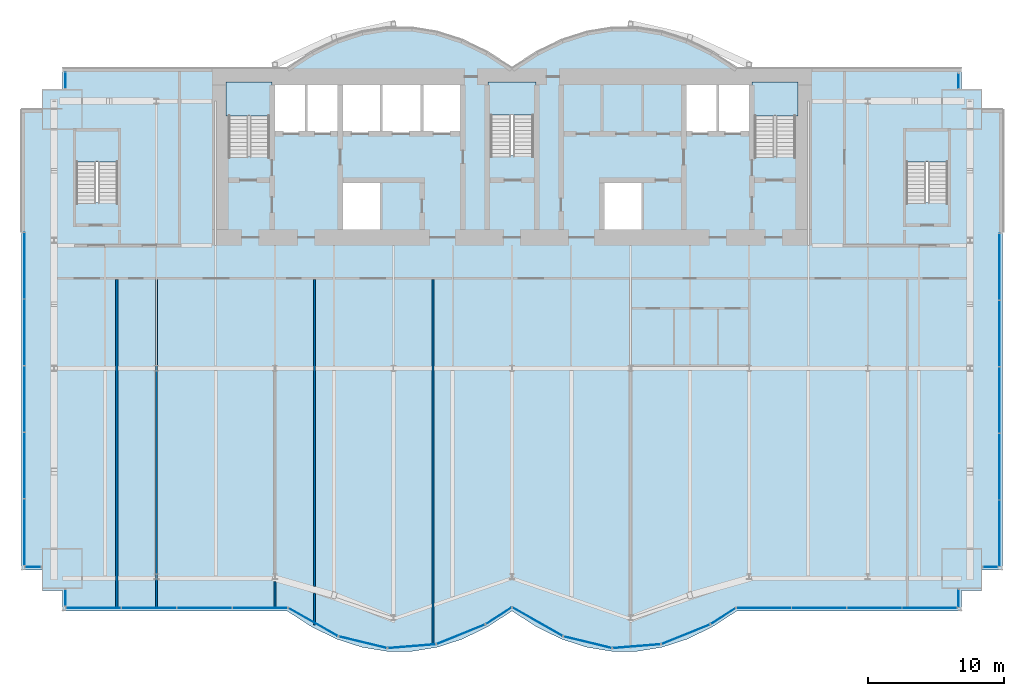
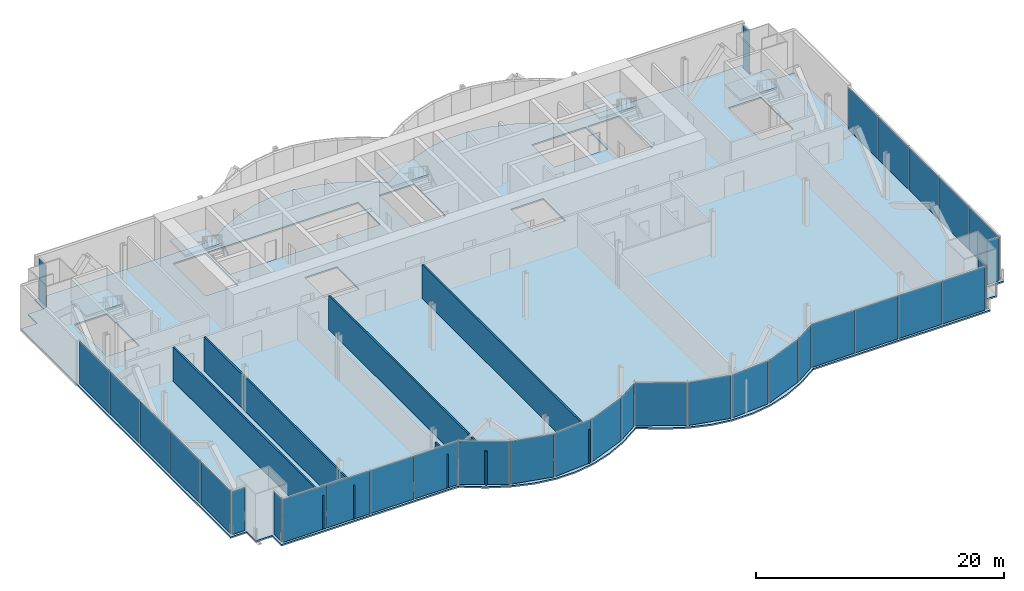
# One storey, part 14 of 21: 34 plates, 6 slabs, 6 walls, 17 elements without a shape of their own.
"""IFC4 building model written with IfcOpenShell, lengths in metres."""

from ifc_helpers import new_model, si_unit, direction, frame, frame_2d, origin, origin_2d, place, context, subcontext, project, spatial, polyline, rectangle, outline, extrude, material, layer, layer_set, type_object, element, aggregate, save


model = new_model("IFC4")

# Units and contexts
model_context = context("Model", 3, precision=1e-05, world=origin(), true_north=direction((0.0, 1.0)))
body_context = subcontext(model_context, "Body", "Model", "MODEL_VIEW")
ifc_project = project(units=[si_unit("LENGTHUNIT", "METRE"), si_unit("AREAUNIT", "SQUARE_METRE"), si_unit("VOLUMEUNIT", "CUBIC_METRE"), si_unit("PLANEANGLEUNIT", "RADIAN"), si_unit("MASSUNIT", "GRAM", prefix="KILO")], contexts=[model_context])

# Site, building, storey
site_placement = place(None, origin())
site = spatial("IfcSite", under=ifc_project, at=site_placement, CompositionType="ELEMENT")
building_placement = place(site_placement, origin())
building = spatial("IfcBuilding", under=site, at=building_placement, Name="Bicima Exchange Tower", CompositionType="ELEMENT")
storey_placement = place(building_placement, frame((0.0, 0.0, 75.5)))
storey = spatial("IfcBuildingStorey", under=building, at=storey_placement, Name="L15", CompositionType="ELEMENT", Elevation=75.5)

# Slab
ifc_material_1 = material(Name="Concrete C40/50", Category="concrete")
ifc_layer_1 = layer(ifc_material_1, 0.14990234375)
ifc_layer_set_1 = layer_set([ifc_layer_1], Name="Concrete C40/50")
slab_type_1 = type_object("IfcSlabType", Name="Composite floor slab 150", PredefinedType="FLOOR", material=ifc_layer_set_1)
slab_1_placement = place(storey_placement, frame((0.0, 0.0, -0.14990234375)))
element("IfcSlab", 1, at=slab_1_placement, inside=storey, type_object=slab_type_1, Name="Floor slab", PredefinedType="FLOOR", context=body_context, shape_type="SweptSolid", body=[
    extrude(outline(polyline([(-36.0, -36.803955078125), (-36.0, -3.0), (-34.5, -3.0), (-34.5, -1.5), (-33.0, -1.5), (-33.0, 0.0), (-16.5, 0.0), (-14.666748046875, 1.185302734375), (-12.833251953125, 2.07421875), (-11.0, 2.666748046875), (-9.166748046875, 2.962890625), (-7.333251953125, 2.962890625), (-5.5, 2.666748046875), (-3.666748046875, 2.07421875), (-1.833251953125, 1.185302734375), (0.0, 0.0), (1.833251953125, 1.185302734375), (3.666748046875, 2.07421875), (5.5, 2.666748046875), (7.333251953125, 2.962890625), (9.166748046875, 2.962890625), (11.0, 2.666748046875), (12.833251953125, 2.07421875), (14.666748046875, 1.185302734375), (16.5, 0.0), (33.0, 0.0), (33.0, -1.5), (34.5, -1.5), (34.5, -3.0), (36.0, -3.0), (36.0, -36.803955078125), (34.5, -36.803955078125), (34.5, -38.303955078125), (33.0, -38.303955078125), (33.0, -39.803955078125), (16.5, -39.803955078125), (14.666748046875, -40.9892578125), (12.833251953125, -41.878173828125), (11.0, -42.470703125), (9.166748046875, -42.76708984375), (7.333251953125, -42.76708984375), (5.5, -42.470703125), (3.666748046875, -41.878173828125), (1.833251953125, -40.9892578125), (0.0, -39.803955078125), (-1.833251953125, -40.9892578125), (-3.666748046875, -41.878173828125), (-5.5, -42.470703125), (-7.333251953125, -42.76708984375), (-9.166748046875, -42.76708984375), (-11.0, -42.470703125), (-12.833251953125, -41.878173828125), (-14.666748046875, -40.9892578125), (-16.5, -39.803955078125), (-33.0, -39.803955078125), (-33.0, -38.303955078125), (-34.5, -38.303955078125), (-34.5, -36.803955078125), (-36.0, -36.803955078125)]), holes=[polyline([(-9.60009765625, -11.800048828125), (-9.60009765625, -8.199951171875), (-12.60009765625, -8.199951171875), (-12.60009765625, -11.800048828125), (-9.60009765625, -11.800048828125)]), polyline([(-31.97509765625, -9.824951171875), (-28.925048828125, -9.824951171875), (-28.925048828125, -4.625), (-31.97509765625, -4.625), (-31.97509765625, -9.824951171875)]), polyline([(-20.800048828125, -6.449951171875), (-17.800048828125, -6.449951171875), (-17.800048828125, -1.199951171875), (-20.800048828125, -1.199951171875), (-20.800048828125, -6.449951171875)]), polyline([(-9.60009765625, -1.199951171875), (-12.60009765625, -1.199951171875), (-15.10009765625, -1.199951171875), (-17.60009765625, -1.199951171875), (-17.60009765625, -4.800048828125), (-15.10009765625, -4.800048828125), (-12.60009765625, -4.800048828125), (-9.60009765625, -4.800048828125), (-6.60009765625, -4.800048828125), (-3.60009765625, -4.800048828125), (-3.60009765625, -1.199951171875), (-6.60009765625, -1.199951171875), (-9.60009765625, -1.199951171875)]), polyline([(9.60009765625, -11.800048828125), (9.60009765625, -8.199951171875), (6.60009765625, -8.199951171875), (6.60009765625, -11.800048828125), (9.60009765625, -11.800048828125)]), polyline([(28.925048828125, -9.824951171875), (31.97509765625, -9.824951171875), (31.97509765625, -4.625), (28.925048828125, -4.625), (28.925048828125, -9.824951171875)]), polyline([(17.800048828125, -6.449951171875), (20.800048828125, -6.449951171875), (20.800048828125, -1.199951171875), (17.800048828125, -1.199951171875), (17.800048828125, -6.449951171875)]), polyline([(-1.574951171875, -6.39990234375), (1.574951171875, -6.39990234375), (1.574951171875, -1.199951171875), (-1.574951171875, -1.199951171875), (-1.574951171875, -6.39990234375)]), polyline([(17.60009765625, -4.800048828125), (17.60009765625, -1.199951171875), (15.10009765625, -1.199951171875), (12.60009765625, -1.199951171875), (12.60009765625, -4.800048828125), (15.10009765625, -4.800048828125), (17.60009765625, -4.800048828125)])]), origin(), (0.0, 0.0, 1.0), 0.14990234375),
])

# Curtain wall, plates
ifc_material_2 = material(Name="Anodised bronze aluminium", Category="aluminium")
curtain_wall_type_1 = type_object("IfcCurtainWallType", Name="End face glass wall", PredefinedType="NOTDEFINED", material=ifc_material_2)
curtain_wall_1_placement = place(storey_placement, origin())
curtain_wall_1 = element("IfcCurtainWall", 2, at=curtain_wall_1_placement, inside=storey, type_object=curtain_wall_type_1, Name="End face glass wall L15 run 2", PredefinedType="NOTDEFINED")
ifc_material_3 = material(Name="Bronze tinted glass", Category="glass")
ifc_layer_2 = layer(ifc_material_3, 0.031982421875)
ifc_layer_set_2 = layer_set([ifc_layer_2], Name="Bronze tinted glass")
plate_type_1 = type_object("IfcPlateType", Name="End face glass wall glass panel 32", PredefinedType="CURTAIN_PANEL", material=ifc_layer_set_2)
plate_1_placement = place(storey_placement, frame((-35.77001953125, -19.360107421875, 0.0), z_axis=(0.0, 0.0, 1.0), x_axis=(0.0, -1.0, 0.0)))
plate_1 = element("IfcPlate", 3, at=plate_1_placement, type_object=plate_type_1, Name="End face glass wall panel 2.1", PredefinedType="CURTAIN_PANEL", context=body_context, shape_type="SweptSolid", body=[
    extrude(rectangle(XDim=4.826904296875, YDim=0.031982421875, at=origin_2d()), origin(), (0.0, 0.0, 1.0), 4.2099609375),
])
plate_2_placement = place(storey_placement, frame((-35.77001953125, -24.2470703125, 0.0), z_axis=(0.0, 0.0, 1.0), x_axis=(0.0, -1.0, 0.0)))
plate_2 = element("IfcPlate", 4, at=plate_2_placement, type_object=plate_type_1, Name="End face glass wall panel 3.1", PredefinedType="CURTAIN_PANEL", context=body_context, shape_type="SweptSolid", body=[
    extrude(rectangle(XDim=4.826904296875, YDim=0.031982421875, at=origin_2d()), origin(), (0.0, 0.0, 1.0), 4.2099609375),
])
plate_3_placement = place(storey_placement, frame((-35.77001953125, -34.0205078125, 0.0), z_axis=(0.0, 0.0, 1.0), x_axis=(0.0, -1.0, 0.0)))
plate_3 = element("IfcPlate", 5, at=plate_3_placement, type_object=plate_type_1, Name="End face glass wall panel 5.1", PredefinedType="CURTAIN_PANEL", context=body_context, shape_type="SweptSolid", body=[
    extrude(rectangle(XDim=4.826904296875, YDim=0.031982421875, at=origin_2d()), origin(), (0.0, 0.0, 1.0), 4.2099609375),
])

curtain_wall_2_placement = place(storey_placement, origin())
curtain_wall_2 = element("IfcCurtainWall", 6, at=curtain_wall_2_placement, inside=storey, type_object=curtain_wall_type_1, Name="End face glass wall L15 run 19", PredefinedType="NOTDEFINED")
plate_4_placement = place(storey_placement, frame((35.77001953125, -34.1005859375, 0.0), z_axis=(0.0, 0.0, 1.0), x_axis=(0.0, 1.0, 0.0)))
plate_4 = element("IfcPlate", 7, at=plate_4_placement, type_object=plate_type_1, Name="End face glass wall panel 1.1", PredefinedType="CURTAIN_PANEL", context=body_context, shape_type="SweptSolid", body=[
    extrude(rectangle(XDim=4.826904296875, YDim=0.031982421875, at=origin_2d()), origin(), (0.0, 0.0, 1.0), 4.2099609375),
])
plate_5_placement = place(storey_placement, frame((35.77001953125, -24.326904296875, 0.0), z_axis=(0.0, 0.0, 1.0), x_axis=(0.0, 1.0, 0.0)))
plate_5 = element("IfcPlate", 8, at=plate_5_placement, type_object=plate_type_1, Name="End face glass wall panel 3.1", PredefinedType="CURTAIN_PANEL", context=body_context, shape_type="SweptSolid", body=[
    extrude(rectangle(XDim=4.826904296875, YDim=0.031982421875, at=origin_2d()), origin(), (0.0, 0.0, 1.0), 4.2099609375),
])
plate_6_placement = place(storey_placement, frame((35.77001953125, -19.440185546875, 0.0), z_axis=(0.0, 0.0, 1.0), x_axis=(0.0, 1.0, 0.0)))
plate_6 = element("IfcPlate", 9, at=plate_6_placement, type_object=plate_type_1, Name="End face glass wall panel 4.1", PredefinedType="CURTAIN_PANEL", context=body_context, shape_type="SweptSolid", body=[
    extrude(rectangle(XDim=4.826904296875, YDim=0.031982421875, at=origin_2d()), origin(), (0.0, 0.0, 1.0), 4.2099609375),
])

# Plate
ifc_material_4 = material(Name="Bronze anodised aluminium", Category="aluminium")
ifc_layer_3 = layer(ifc_material_4, 0.031982421875)
ifc_layer_set_3 = layer_set([ifc_layer_3], Name="Bronze anodised aluminium")
plate_type_2 = type_object("IfcPlateType", Name="End face glass wall spandrel panel 32", PredefinedType="CURTAIN_PANEL", material=ifc_layer_set_3)
plate_7_placement = place(storey_placement, frame((-35.77001953125, -14.473388671875, 0.0), z_axis=(0.0, 0.0, 1.0), x_axis=(0.0, -1.0, 0.0)))
plate_7 = element("IfcPlate", 10, at=plate_7_placement, type_object=plate_type_2, Name="End face spandrel wall panel 1.1", PredefinedType="CURTAIN_PANEL", context=body_context, shape_type="SweptSolid", body=[
    extrude(rectangle(XDim=4.826904296875, YDim=0.031982421875, at=origin_2d()), origin(), (0.0, 0.0, 1.0), 4.2099609375),
])

plate_8_placement = place(storey_placement, frame((-35.77001953125, -29.1337890625, 0.0), z_axis=(0.0, 0.0, 1.0), x_axis=(0.0, -1.0, 0.0)))
plate_8 = element("IfcPlate", 11, at=plate_8_placement, type_object=plate_type_2, Name="End face spandrel wall panel 4.1", PredefinedType="CURTAIN_PANEL", context=body_context, shape_type="SweptSolid", body=[
    extrude(rectangle(XDim=4.826904296875, YDim=0.031982421875, at=origin_2d()), origin(), (0.0, 0.0, 1.0), 4.2099609375),
])

aggregate(curtain_wall_1, [plate_7, plate_1, plate_2, plate_8, plate_3])

plate_9_placement = place(storey_placement, frame((35.77001953125, -29.2138671875, 0.0), z_axis=(0.0, 0.0, 1.0), x_axis=(0.0, 1.0, 0.0)))
plate_9 = element("IfcPlate", 12, at=plate_9_placement, type_object=plate_type_2, Name="End face spandrel wall panel 2.1", PredefinedType="CURTAIN_PANEL", context=body_context, shape_type="SweptSolid", body=[
    extrude(rectangle(XDim=4.826904296875, YDim=0.031982421875, at=origin_2d()), origin(), (0.0, 0.0, 1.0), 4.2099609375),
])

plate_10_placement = place(storey_placement, frame((35.77001953125, -14.553466796875, 0.0), z_axis=(0.0, 0.0, 1.0), x_axis=(0.0, 1.0, 0.0)))
plate_10 = element("IfcPlate", 13, at=plate_10_placement, type_object=plate_type_2, Name="End face spandrel wall panel 5.1", PredefinedType="CURTAIN_PANEL", context=body_context, shape_type="SweptSolid", body=[
    extrude(rectangle(XDim=4.826904296875, YDim=0.031982421875, at=origin_2d()), origin(), (0.0, 0.0, 1.0), 4.2099609375),
])

aggregate(curtain_wall_2, [plate_4, plate_9, plate_5, plate_6, plate_10])

# Curtain wall, plate
curtain_wall_type_2 = type_object("IfcCurtainWallType", Name="Front glass wall", PredefinedType="NOTDEFINED", material=ifc_material_2)
curtain_wall_3_placement = place(storey_placement, origin())
curtain_wall_3 = element("IfcCurtainWall", 14, at=curtain_wall_3_placement, inside=storey, type_object=curtain_wall_type_2, Name="Front glass wall L15 run 1", PredefinedType="NOTDEFINED")
ifc_layer_4 = layer(ifc_material_3, 0.031982421875)
ifc_layer_set_4 = layer_set([ifc_layer_4], Name="Bronze tinted glass")
plate_type_3 = type_object("IfcPlateType", Name="Front glass wall glass panel 32", PredefinedType="CURTAIN_PANEL", material=ifc_layer_set_4)
plate_11_placement = place(storey_placement, frame((-32.77001953125, -0.864990234375, 0.0), z_axis=(0.0, 0.0, 1.0), x_axis=(0.0, -1.0, 0.0)))
plate_11 = element("IfcPlate", 15, at=plate_11_placement, type_object=plate_type_3, Name="Front glass wall panel 1.1", PredefinedType="CURTAIN_PANEL", context=body_context, shape_type="SweptSolid", body=[
    extrude(rectangle(XDim=1.14990234375, YDim=0.031982421875, at=origin_2d()), origin(), (0.0, 0.0, 1.0), 4.2099609375),
])
aggregate(curtain_wall_3, [plate_11])

curtain_wall_4_placement = place(storey_placement, origin())
curtain_wall_4 = element("IfcCurtainWall", 16, at=curtain_wall_4_placement, inside=storey, type_object=curtain_wall_type_2, Name="Front glass wall L15 run 3", PredefinedType="NOTDEFINED")
plate_12_placement = place(storey_placement, frame((-35.135009765625, -36.573974609375, 0.0), z_axis=(0.0, 0.0, 1.0), x_axis=(1.0, 0.0, 0.0)))
plate_12 = element("IfcPlate", 17, at=plate_12_placement, type_object=plate_type_3, Name="Front glass wall panel 1.1", PredefinedType="CURTAIN_PANEL", context=body_context, shape_type="SweptSolid", body=[
    extrude(rectangle(XDim=1.14990234375, YDim=0.031982421875, at=origin_2d()), origin(), (0.0, 0.0, 1.0), 4.2099609375),
])
aggregate(curtain_wall_4, [plate_12])

curtain_wall_5_placement = place(storey_placement, origin())
curtain_wall_5 = element("IfcCurtainWall", 18, at=curtain_wall_5_placement, inside=storey, type_object=curtain_wall_type_2, Name="Front glass wall L15 run 4", PredefinedType="NOTDEFINED")
plate_13_placement = place(storey_placement, frame((-32.77001953125, -38.837890625, 0.0), z_axis=(0.0, 0.0, 1.0), x_axis=(0.0, -1.0, 0.0)))
plate_13 = element("IfcPlate", 19, at=plate_13_placement, type_object=plate_type_3, Name="Front glass wall panel 1.1", PredefinedType="CURTAIN_PANEL", context=body_context, shape_type="SweptSolid", body=[
    extrude(rectangle(XDim=1.19189453125, YDim=0.031982421875, at=origin_2d()), origin(), (0.0, 0.0, 1.0), 4.2099609375),
])
aggregate(curtain_wall_5, [plate_13])

# Curtain wall, plates
curtain_wall_6_placement = place(storey_placement, origin())
curtain_wall_6 = element("IfcCurtainWall", 20, at=curtain_wall_6_placement, inside=storey, type_object=curtain_wall_type_2, Name="Front glass wall L15 run 5", PredefinedType="NOTDEFINED")
plate_14_placement = place(storey_placement, frame((-30.705322265625, -39.573974609375, 0.0), z_axis=(0.0, 0.0, 1.0), x_axis=(1.0, 0.0, 0.0)))
plate_14 = element("IfcPlate", 21, at=plate_14_placement, type_object=plate_type_3, Name="Front glass wall panel 1.1", PredefinedType="CURTAIN_PANEL", context=body_context, shape_type="SweptSolid", body=[
    extrude(rectangle(XDim=4.009521484375, YDim=0.031982421875, at=origin_2d()), origin(), (0.0, 0.0, 1.0), 4.2099609375),
])
plate_15_placement = place(storey_placement, frame((-22.56640625, -39.573974609375, 0.0), z_axis=(0.0, 0.0, 1.0), x_axis=(1.0, 0.0, 0.0)))
plate_15 = element("IfcPlate", 22, at=plate_15_placement, type_object=plate_type_3, Name="Front glass wall panel 3.1", PredefinedType="CURTAIN_PANEL", context=body_context, shape_type="SweptSolid", body=[
    extrude(rectangle(XDim=4.009521484375, YDim=0.031982421875, at=origin_2d()), origin(), (0.0, 0.0, 1.0), 4.2099609375),
])
plate_16_placement = place(storey_placement, frame((-18.496826171875, -39.573974609375, 0.0), z_axis=(0.0, 0.0, 1.0), x_axis=(1.0, 0.0, 0.0)))
plate_16 = element("IfcPlate", 23, at=plate_16_placement, type_object=plate_type_3, Name="Front glass wall panel 4.1", PredefinedType="CURTAIN_PANEL", context=body_context, shape_type="SweptSolid", body=[
    extrude(rectangle(XDim=4.009521484375, YDim=0.031982421875, at=origin_2d()), origin(), (0.0, 0.0, 1.0), 4.2099609375),
])

curtain_wall_7_placement = place(storey_placement, origin())
curtain_wall_7 = element("IfcCurtainWall", 24, at=curtain_wall_7_placement, inside=storey, type_object=curtain_wall_type_2, Name="Front glass wall L15 run 6", PredefinedType="NOTDEFINED")
plate_17_placement = place(storey_placement, frame((-14.589599609375, -40.619140625, 0.0), z_axis=(0.0, 0.0, 1.0), x_axis=(0.869805110681, -0.493395449343, 0.0)))
plate_17 = element("IfcPlate", 25, at=plate_17_placement, type_object=plate_type_3, Name="Front glass wall panel 1.1", PredefinedType="CURTAIN_PANEL", context=body_context, shape_type="SweptSolid", body=[
    extrude(rectangle(XDim=4.1162109375, YDim=0.031982421875, at=origin_2d()), origin(), (0.0, 0.0, 1.0), 4.2099609375),
])
plate_18_placement = place(storey_placement, frame((-10.94775390625, -42.1005859375, 0.0), z_axis=(0.0, 0.0, 1.0), x_axis=(0.971830343553, -0.235681529503, 0.0)))
plate_18 = element("IfcPlate", 26, at=plate_18_placement, type_object=plate_type_3, Name="Front glass wall panel 1.1", PredefinedType="CURTAIN_PANEL", context=body_context, shape_type="SweptSolid", body=[
    extrude(rectangle(XDim=3.583251953125, YDim=0.031982421875, at=origin_2d()), origin(), (0.0, 0.0, 1.0), 4.2099609375),
])
plate_19_placement = place(storey_placement, frame((-3.750244140625, -41.517333984375, 0.0), z_axis=(0.0, 0.0, 1.0), x_axis=(0.92714396679, 0.374705304, 0.0)))
plate_19 = element("IfcPlate", 27, at=plate_19_placement, type_object=plate_type_3, Name="Front glass wall panel 1.1", PredefinedType="CURTAIN_PANEL", context=body_context, shape_type="SweptSolid", body=[
    extrude(rectangle(XDim=3.771240234375, YDim=0.031982421875, at=origin_2d()), origin(), (0.0, 0.0, 1.0), 4.2099609375),
])
plate_20_placement = place(storey_placement, frame((-0.97314453125, -40.1591796875, 0.0), z_axis=(0.0, 0.0, 1.0), x_axis=(0.839798994301, 0.542897457326, 0.0)))
plate_20 = element("IfcPlate", 28, at=plate_20_placement, type_object=plate_type_3, Name="Front glass wall panel 1.1", PredefinedType="CURTAIN_PANEL", context=body_context, shape_type="SweptSolid", body=[
    extrude(rectangle(XDim=2.197509765625, YDim=0.031982421875, at=origin_2d()), origin(), (0.0, 0.0, 1.0), 4.2099609375),
])

curtain_wall_8_placement = place(storey_placement, origin())
curtain_wall_8 = element("IfcCurtainWall", 29, at=curtain_wall_8_placement, inside=storey, type_object=curtain_wall_type_2, Name="Front glass wall L15 run 11", PredefinedType="NOTDEFINED")
plate_21_placement = place(storey_placement, frame((1.876220703125, -40.59716796875, 0.0), z_axis=(0.0, 0.0, 1.0), x_axis=(0.869274147378, -0.494330311331, 0.0)))
plate_21 = element("IfcPlate", 30, at=plate_21_placement, type_object=plate_type_3, Name="Front glass wall panel 1.1", PredefinedType="CURTAIN_PANEL", context=body_context, shape_type="SweptSolid", body=[
    extrude(rectangle(XDim=4.197021484375, YDim=0.031982421875, at=origin_2d()), origin(), (0.0, 0.0, 1.0), 4.2099609375),
])
plate_22_placement = place(storey_placement, frame((12.749755859375, -41.517333984375, 0.0), z_axis=(0.0, 0.0, 1.0), x_axis=(0.92714396679, 0.374705304, 0.0)))
plate_22 = element("IfcPlate", 31, at=plate_22_placement, type_object=plate_type_3, Name="Front glass wall panel 1.1", PredefinedType="CURTAIN_PANEL", context=body_context, shape_type="SweptSolid", body=[
    extrude(rectangle(XDim=3.771240234375, YDim=0.031982421875, at=origin_2d()), origin(), (0.0, 0.0, 1.0), 4.2099609375),
])
plate_23_placement = place(storey_placement, frame((15.492919921875, -40.18115234375, 0.0), z_axis=(0.0, 0.0, 1.0), x_axis=(0.839791413941, 0.542909183079, 0.0)))
plate_23 = element("IfcPlate", 32, at=plate_23_placement, type_object=plate_type_3, Name="Front glass wall panel 1.1", PredefinedType="CURTAIN_PANEL", context=body_context, shape_type="SweptSolid", body=[
    extrude(rectangle(XDim=2.11669921875, YDim=0.031982421875, at=origin_2d()), origin(), (0.0, 0.0, 1.0), 4.2099609375),
])

curtain_wall_9_placement = place(storey_placement, origin())
curtain_wall_9 = element("IfcCurtainWall", 33, at=curtain_wall_9_placement, inside=storey, type_object=curtain_wall_type_2, Name="Front glass wall L15 run 16", PredefinedType="NOTDEFINED")
plate_24_placement = place(storey_placement, frame((18.48681640625, -39.573974609375, 0.0), z_axis=(0.0, 0.0, 1.0), x_axis=(1.0, 0.0, 0.0)))
plate_24 = element("IfcPlate", 34, at=plate_24_placement, type_object=plate_type_3, Name="Front glass wall panel 1.1", PredefinedType="CURTAIN_PANEL", context=body_context, shape_type="SweptSolid", body=[
    extrude(rectangle(XDim=3.989501953125, YDim=0.031982421875, at=origin_2d()), origin(), (0.0, 0.0, 1.0), 4.2099609375),
])
plate_25_placement = place(storey_placement, frame((22.536376953125, -39.573974609375, 0.0), z_axis=(0.0, 0.0, 1.0), x_axis=(1.0, 0.0, 0.0)))
plate_25 = element("IfcPlate", 35, at=plate_25_placement, type_object=plate_type_3, Name="Front glass wall panel 2.1", PredefinedType="CURTAIN_PANEL", context=body_context, shape_type="SweptSolid", body=[
    extrude(rectangle(XDim=3.989501953125, YDim=0.031982421875, at=origin_2d()), origin(), (0.0, 0.0, 1.0), 4.2099609375),
])
plate_26_placement = place(storey_placement, frame((30.63525390625, -39.573974609375, 0.0), z_axis=(0.0, 0.0, 1.0), x_axis=(1.0, 0.0, 0.0)))
plate_26 = element("IfcPlate", 36, at=plate_26_placement, type_object=plate_type_3, Name="Front glass wall panel 4.1", PredefinedType="CURTAIN_PANEL", context=body_context, shape_type="SweptSolid", body=[
    extrude(rectangle(XDim=3.989501953125, YDim=0.031982421875, at=origin_2d()), origin(), (0.0, 0.0, 1.0), 4.2099609375),
])

# Curtain wall, plate
curtain_wall_10_placement = place(storey_placement, origin())
curtain_wall_10 = element("IfcCurtainWall", 37, at=curtain_wall_10_placement, inside=storey, type_object=curtain_wall_type_2, Name="Front glass wall L15 run 17", PredefinedType="NOTDEFINED")
plate_27_placement = place(storey_placement, frame((32.77001953125, -38.8779296875, 0.0), z_axis=(0.0, 0.0, 1.0), x_axis=(0.0, 1.0, 0.0)))
plate_27 = element("IfcPlate", 38, at=plate_27_placement, type_object=plate_type_3, Name="Front glass wall panel 1.1", PredefinedType="CURTAIN_PANEL", context=body_context, shape_type="SweptSolid", body=[
    extrude(rectangle(XDim=1.27197265625, YDim=0.031982421875, at=origin_2d()), origin(), (0.0, 0.0, 1.0), 4.2099609375),
])
aggregate(curtain_wall_10, [plate_27])

curtain_wall_11_placement = place(storey_placement, origin())
curtain_wall_11 = element("IfcCurtainWall", 39, at=curtain_wall_11_placement, inside=storey, type_object=curtain_wall_type_2, Name="Front glass wall L15 run 18", PredefinedType="NOTDEFINED")
plate_28_placement = place(storey_placement, frame((35.094970703125, -36.573974609375, 0.0), z_axis=(0.0, 0.0, 1.0), x_axis=(1.0, 0.0, 0.0)))
plate_28 = element("IfcPlate", 40, at=plate_28_placement, type_object=plate_type_3, Name="Front glass wall panel 1.1", PredefinedType="CURTAIN_PANEL", context=body_context, shape_type="SweptSolid", body=[
    extrude(rectangle(XDim=1.070068359375, YDim=0.031982421875, at=origin_2d()), origin(), (0.0, 0.0, 1.0), 4.2099609375),
])
aggregate(curtain_wall_11, [plate_28])

curtain_wall_12_placement = place(storey_placement, origin())
curtain_wall_12 = element("IfcCurtainWall", 41, at=curtain_wall_12_placement, inside=storey, type_object=curtain_wall_type_2, Name="Front glass wall L15 run 20", PredefinedType="NOTDEFINED")
plate_29_placement = place(storey_placement, frame((32.77001953125, -0.905029296875, 0.0), z_axis=(0.0, 0.0, 1.0), x_axis=(0.0, 1.0, 0.0)))
plate_29 = element("IfcPlate", 42, at=plate_29_placement, type_object=plate_type_3, Name="Front glass wall panel 1.1", PredefinedType="CURTAIN_PANEL", context=body_context, shape_type="SweptSolid", body=[
    extrude(rectangle(XDim=1.070068359375, YDim=0.031982421875, at=origin_2d()), origin(), (0.0, 0.0, 1.0), 4.2099609375),
])
aggregate(curtain_wall_12, [plate_29])

# Plate
ifc_layer_5 = layer(ifc_material_4, 0.031982421875)
ifc_layer_set_5 = layer_set([ifc_layer_5], Name="Bronze anodised aluminium")
plate_type_4 = type_object("IfcPlateType", Name="Front glass wall spandrel panel 32", PredefinedType="CURTAIN_PANEL", material=ifc_layer_set_5)
plate_30_placement = place(storey_placement, frame((-26.6357421875, -39.573974609375, 0.0), z_axis=(0.0, 0.0, 1.0), x_axis=(1.0, 0.0, 0.0)))
plate_30 = element("IfcPlate", 43, at=plate_30_placement, type_object=plate_type_4, Name="Front spandrel wall panel 2.1", PredefinedType="CURTAIN_PANEL", context=body_context, shape_type="SweptSolid", body=[
    extrude(rectangle(XDim=4.009521484375, YDim=0.031982421875, at=origin_2d()), origin(), (0.0, 0.0, 1.0), 4.2099609375),
])

aggregate(curtain_wall_6, [plate_14, plate_30, plate_15, plate_16])

plate_31_placement = place(storey_placement, frame((-7.35107421875, -42.3916015625, 0.0), z_axis=(0.0, 0.0, 1.0), x_axis=(0.99674744821, 0.080588612633, 0.0)))
plate_31 = element("IfcPlate", 44, at=plate_31_placement, type_object=plate_type_4, Name="Front spandrel wall panel 1.1", PredefinedType="CURTAIN_PANEL", context=body_context, shape_type="SweptSolid", body=[
    extrude(rectangle(XDim=3.486083984375, YDim=0.031982421875, at=origin_2d()), origin(), (0.0, 0.0, 1.0), 4.2099609375),
])

aggregate(curtain_wall_7, [plate_17, plate_18, plate_31, plate_19, plate_20])

plate_32_placement = place(storey_placement, frame((5.55224609375, -42.1005859375, 0.0), z_axis=(0.0, 0.0, 1.0), x_axis=(0.971830343553, -0.235681529503, 0.0)))
plate_32 = element("IfcPlate", 45, at=plate_32_placement, type_object=plate_type_4, Name="Front spandrel wall panel 1.1", PredefinedType="CURTAIN_PANEL", context=body_context, shape_type="SweptSolid", body=[
    extrude(rectangle(XDim=3.583251953125, YDim=0.031982421875, at=origin_2d()), origin(), (0.0, 0.0, 1.0), 4.2099609375),
])

plate_33_placement = place(storey_placement, frame((9.14892578125, -42.3916015625, 0.0), z_axis=(0.0, 0.0, 1.0), x_axis=(0.99674744821, 0.080588612633, 0.0)))
plate_33 = element("IfcPlate", 46, at=plate_33_placement, type_object=plate_type_4, Name="Front spandrel wall panel 1.1", PredefinedType="CURTAIN_PANEL", context=body_context, shape_type="SweptSolid", body=[
    extrude(rectangle(XDim=3.486083984375, YDim=0.031982421875, at=origin_2d()), origin(), (0.0, 0.0, 1.0), 4.2099609375),
])

aggregate(curtain_wall_8, [plate_21, plate_32, plate_33, plate_22, plate_23])

plate_34_placement = place(storey_placement, frame((26.585693359375, -39.573974609375, 0.0), z_axis=(0.0, 0.0, 1.0), x_axis=(1.0, 0.0, 0.0)))
plate_34 = element("IfcPlate", 47, at=plate_34_placement, type_object=plate_type_4, Name="Front spandrel wall panel 3.1", PredefinedType="CURTAIN_PANEL", context=body_context, shape_type="SweptSolid", body=[
    extrude(rectangle(XDim=3.989501953125, YDim=0.031982421875, at=origin_2d()), origin(), (0.0, 0.0, 1.0), 4.2099609375),
])

aggregate(curtain_wall_9, [plate_24, plate_25, plate_34, plate_26])

# Stair, slab
ifc_material_5 = material(Name="Concrete C50/60", Category="concrete")
stair_type_1 = type_object("IfcStairType", Name="Exit stair", PredefinedType="HALF_TURN_STAIR", material=ifc_material_5)
stair_1_placement = place(storey_placement, origin())
stair_1 = element("IfcStair", 48, at=stair_1_placement, inside=storey, type_object=stair_type_1, Name="L15 West exit stair", PredefinedType="HALF_TURN_STAIR")
ifc_layer_6 = layer(ifc_material_5, 0.199951171875)
ifc_layer_set_6 = layer_set([ifc_layer_6], Name="Concrete C50/60")
slab_type_2 = type_object("IfcSlabType", Name="Stair landing slab", PredefinedType="LANDING", material=ifc_layer_set_6)
slab_2_placement = place(storey_placement, frame((0.0, 0.0, 2.050048828125)))
slab_2 = element("IfcSlab", 49, at=slab_2_placement, type_object=slab_type_2, Name="ST-W landing 1", PredefinedType="LANDING", context=body_context, shape_type="SweptSolid", body=[
    extrude(outline(polyline([(-17.60009765625, -3.469970703125), (-17.60009765625, -1.0), (-21.0, -1.0), (-21.0, -3.469970703125), (-17.60009765625, -3.469970703125)])), origin(), (0.0, 0.0, 1.0), 0.199951171875),
])
aggregate(stair_1, [slab_2])

stair_type_2 = type_object("IfcStairType", Name="Exit stair 1500", PredefinedType="HALF_TURN_STAIR", material=ifc_material_5)
stair_2_placement = place(storey_placement, origin())
stair_2 = element("IfcStair", 50, at=stair_2_placement, inside=storey, type_object=stair_type_2, Name="L15 Central exit stair", PredefinedType="HALF_TURN_STAIR")
slab_3_placement = place(storey_placement, frame((0.0, 0.0, 2.050048828125)))
slab_3 = element("IfcSlab", 51, at=slab_3_placement, type_object=slab_type_2, Name="ST-C landing 1", PredefinedType="LANDING", context=body_context, shape_type="SweptSolid", body=[
    extrude(outline(polyline([(1.77490234375, -3.419921875), (1.77490234375, -1.0), (-1.77490234375, -1.0), (-1.77490234375, -3.419921875), (1.77490234375, -3.419921875)])), origin(), (0.0, 0.0, 1.0), 0.199951171875),
])
aggregate(stair_2, [slab_3])

stair_3_placement = place(storey_placement, origin())
stair_3 = element("IfcStair", 52, at=stair_3_placement, inside=storey, type_object=stair_type_1, Name="L15 East exit stair", PredefinedType="HALF_TURN_STAIR")
slab_4_placement = place(storey_placement, frame((0.0, 0.0, 2.050048828125)))
slab_4 = element("IfcSlab", 53, at=slab_4_placement, type_object=slab_type_2, Name="ST-E landing 1", PredefinedType="LANDING", context=body_context, shape_type="SweptSolid", body=[
    extrude(outline(polyline([(21.0, -3.469970703125), (21.0, -1.0), (17.60009765625, -1.0), (17.60009765625, -3.469970703125), (21.0, -3.469970703125)])), origin(), (0.0, 0.0, 1.0), 0.199951171875),
])
aggregate(stair_3, [slab_4])

stair_4_placement = place(storey_placement, origin())
stair_4 = element("IfcStair", 54, at=stair_4_placement, inside=storey, type_object=stair_type_1, Name="L15 West end exit stair", PredefinedType="HALF_TURN_STAIR")
slab_5_placement = place(storey_placement, frame((0.0, 0.0, 2.050048828125)))
slab_5 = element("IfcSlab", 55, at=slab_5_placement, type_object=slab_type_2, Name="ST-WW landing 1", PredefinedType="LANDING", context=body_context, shape_type="SweptSolid", body=[
    extrude(outline(polyline([(-28.72509765625, -6.844970703125), (-28.72509765625, -4.425048828125), (-32.175048828125, -4.425048828125), (-32.175048828125, -6.844970703125), (-28.72509765625, -6.844970703125)])), origin(), (0.0, 0.0, 1.0), 0.199951171875),
])
aggregate(stair_4, [slab_5])

stair_5_placement = place(storey_placement, origin())
stair_5 = element("IfcStair", 56, at=stair_5_placement, inside=storey, type_object=stair_type_1, Name="L15 East end exit stair", PredefinedType="HALF_TURN_STAIR")
slab_6_placement = place(storey_placement, frame((0.0, 0.0, 2.050048828125)))
slab_6 = element("IfcSlab", 57, at=slab_6_placement, type_object=slab_type_2, Name="ST-EE landing 1", PredefinedType="LANDING", context=body_context, shape_type="SweptSolid", body=[
    extrude(outline(polyline([(32.175048828125, -6.844970703125), (32.175048828125, -4.425048828125), (28.72509765625, -4.425048828125), (28.72509765625, -6.844970703125), (32.175048828125, -6.844970703125)])), origin(), (0.0, 0.0, 1.0), 0.199951171875),
])
aggregate(stair_5, [slab_6])

# Walls
ifc_material_6 = material(Name="Gypsum board partition")
ifc_layer_7 = layer(ifc_material_6, 0.14990234375)
ifc_layer_set_7 = layer_set([ifc_layer_7], Name="Gypsum board partition")
wall_type = type_object("IfcWallType", Name="Gypsum partition 150", PredefinedType="PARTITIONING", material=ifc_layer_set_7)
for number, where, z_axis, x_axis, name in (
    (58, (-29.0, -39.590087890625, 0.0), (0.0, 0.0, 1.0), (0.0, 1.0, 0.0), "partition wall 13"),
    (59, (-26.10009765625, -39.590087890625, 0.0), (0.0, 0.0, 1.0), (0.0, 1.0, 0.0), "partition wall 15"),
):
    element("IfcWall", number, at=place(storey_placement, frame(where, z_axis=z_axis, x_axis=x_axis)), inside=storey, type_object=wall_type, Name=name, PredefinedType="PARTITIONING", context=body_context, shape_type="SweptSolid", body=[
        extrude(rectangle(XDim=24.090087890625, YDim=0.14990234375, at=frame_2d((12.044921875, 0.0))), origin(), (0.0, 0.0, 1.0), 3.33935546875),
    ])
wall_1_placement = place(storey_placement, frame((-17.39990234375, -39.590087890625, 0.0), z_axis=(0.0, 0.0, 1.0), x_axis=(0.0, 1.0, 0.0)))
element("IfcWall", 60, at=wall_1_placement, inside=storey, type_object=wall_type, Name="partition wall 17", PredefinedType="PARTITIONING", context=body_context, shape_type="SweptSolid", body=[
    extrude(rectangle(XDim=1.94873046875, YDim=0.14990234375, at=frame_2d((0.974365234375, 0.0))), origin(), (0.0, 0.0, 1.0), 3.33935546875),
])
wall_2_placement = place(storey_placement, frame((-14.5, -40.840087890625, 0.0), z_axis=(0.0, 0.0, 1.0), x_axis=(0.0, 1.0, 0.0)))
element("IfcWall", 61, at=wall_2_placement, inside=storey, type_object=wall_type, Name="partition wall 19", PredefinedType="PARTITIONING", context=body_context, shape_type="SweptSolid", body=[
    extrude(rectangle(XDim=2.364501953125, YDim=0.14990234375, at=frame_2d((1.18212890625, 0.0))), origin(), (0.0, 0.0, 1.0), 3.33935546875),
])
wall_3_placement = place(storey_placement, frame((-14.5, -38.0009765625, 0.0), z_axis=(0.0, 0.0, 1.0), x_axis=(0.0, 1.0, 0.0)))
element("IfcWall", 62, at=wall_3_placement, inside=storey, type_object=wall_type, Name="partition wall 20", PredefinedType="PARTITIONING", context=body_context, shape_type="SweptSolid", body=[
    extrude(rectangle(XDim=22.5009765625, YDim=0.14990234375, at=frame_2d((11.25048828125, 0.0))), origin(), (0.0, 0.0, 1.0), 3.33935546875),
])
wall_4_placement = place(storey_placement, frame((-5.800048828125, -42.31005859375, 0.0), z_axis=(0.0, 0.0, 1.0), x_axis=(0.0, 1.0, 0.0)))
element("IfcWall", 63, at=wall_4_placement, inside=storey, type_object=wall_type, Name="partition wall 21", PredefinedType="PARTITIONING", context=body_context, shape_type="SweptSolid", body=[
    extrude(rectangle(XDim=26.81005859375, YDim=0.14990234375, at=frame_2d((13.405029296875, 0.0))), origin(), (0.0, 0.0, 1.0), 3.33935546875),
])

save(model, "model.ifc")
